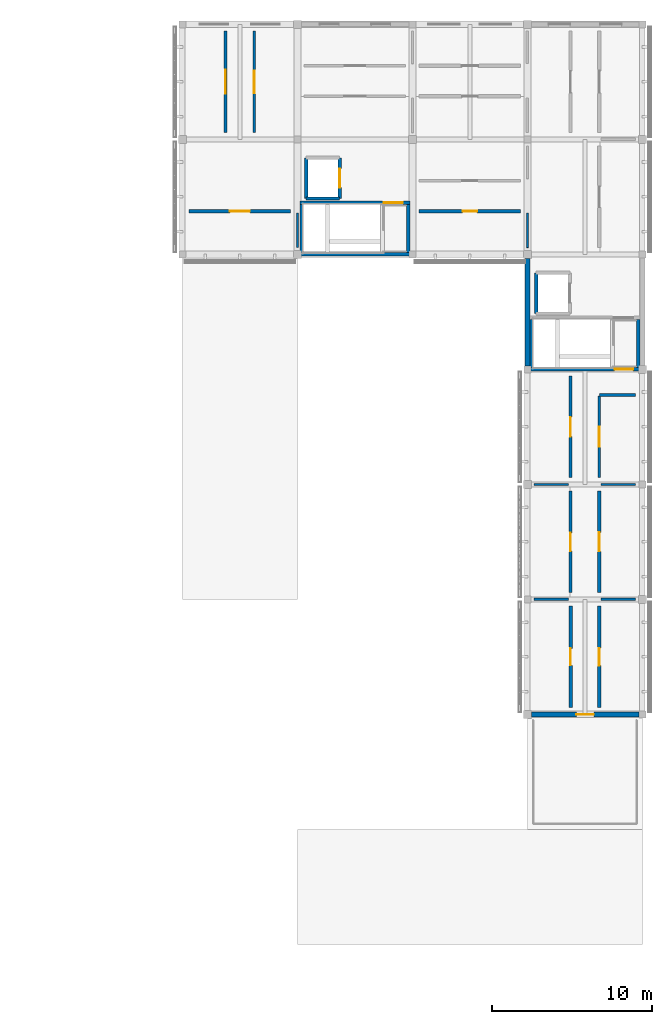
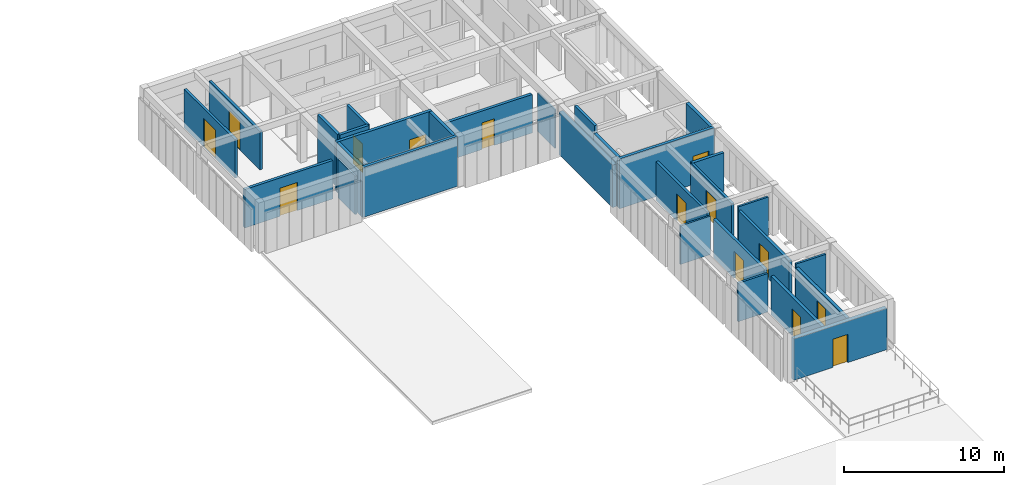
# One storey, part 26 of 33: 30 walls, 14 doors, 14 openings.
"""IFC4 building model written with IfcOpenShell, lengths in metres."""

from ifc_helpers import new_model, si_unit, direction, frame, frame_2d, origin, place, context, subcontext, project, spatial, rectangle, extrude, material, layer, layer_set, type_object, element, fill, save


model = new_model("IFC4")

# Units and contexts
model_context = context("Model", 3, precision=1e-05, world=origin(), true_north=direction((0.0, 1.0)))
body_context = subcontext(model_context, "Body", "Model", "MODEL_VIEW")
ifc_project = project(units=[si_unit("LENGTHUNIT", "METRE"), si_unit("AREAUNIT", "SQUARE_METRE"), si_unit("VOLUMEUNIT", "CUBIC_METRE"), si_unit("PLANEANGLEUNIT", "RADIAN"), si_unit("MASSUNIT", "GRAM", prefix="KILO")], contexts=[model_context])

# Site, building, storey
site_placement = place(None, origin())
site = spatial("IfcSite", under=ifc_project, at=site_placement, CompositionType="ELEMENT")
building_placement = place(site_placement, origin())
building = spatial("IfcBuilding", under=site, at=building_placement, Name="Aldebral Square Health Centre", CompositionType="ELEMENT")
storey_placement = place(building_placement, frame((0.0, 0.0, 17.550048828125)))
storey = spatial("IfcBuildingStorey", under=building, at=storey_placement, Name="L04", CompositionType="ELEMENT", Elevation=17.550048828125)

# Wall, opening, door
ifc_material_1 = material(Name="Precast concrete C40/50 insulated panel", Category="concrete")
ifc_layer_1 = layer(ifc_material_1, 0.300048828125, Name="Precast concrete C40/50 insulated panel", Category="concrete")
ifc_layer_set_1 = layer_set([ifc_layer_1], Name="Precast concrete C40/50 insulated panel")
wall_type_1 = type_object("IfcWallType", Name="EW-PRE-300", PredefinedType="STANDARD", material=ifc_layer_set_1)
wall_1_placement = place(storey_placement, frame((158.64990234375, 72.0, 0.0), z_axis=(0.0, 0.0, 1.0), x_axis=(1.0, 0.0, 0.0)))
wall_1 = element("IfcWall", 1, at=wall_1_placement, inside=storey, type_object=wall_type_1, Name="L04 V5 exterior wall L04-V5-22-10-S", PredefinedType="STANDARD", context=body_context, shape_type="SweptSolid", body=[
    extrude(rectangle(XDim=6.72509765625, YDim=0.300048828125, at=frame_2d((3.362548828125, 0.0))), origin(), (0.0, 0.0, 1.0), 3.14990234375),
])
opening_1_placement = place(wall_1_placement, frame((2.8125, 0.0, 0.0)))
opening_1 = element("IfcOpeningElement", 2, at=opening_1_placement, cuts=wall_1, Name="Opening D-TER403", PredefinedType="OPENING", context=body_context, shape_type="SweptSolid", body=[
    extrude(rectangle(XDim=1.10009765625, YDim=2.14990234375, at=frame_2d((0.550048828125, 1.074951171875))), frame((0.0, 0.16015625, 0.0), z_axis=(0.0, -1.0, 0.0), x_axis=(1.0, 0.0, 0.0)), (0.0, 0.0, 1.0), 0.320068359375),
])
ifc_material_2 = material(Name="Anodised aluminium and laminated safety glass", Category="aluminium")
door_type_1 = type_object("IfcDoorType", Name="DR-TER-110", OperationType="NOTDEFINED", PredefinedType="DOOR", material=ifc_material_2)
door_1_placement = place(opening_1_placement, origin())
door_1 = element("IfcDoor", 3, at=door_1_placement, inside=storey, type_object=door_type_1, Name="L04 exterior door D-TER403", OperationType="SINGLE_SWING_RIGHT", OverallHeight=2.14990234375, OverallWidth=1.10009765625, PredefinedType="DOOR", context=body_context, shape_type="SweptSolid", body=[
    extrude(rectangle(XDim=1.10009765625, YDim=2.14990234375, at=frame_2d((0.550048828125, 1.074951171875))), frame((0.0, 0.02490234375, 0.0), z_axis=(0.0, -1.0, 0.0), x_axis=(1.0, 0.0, 0.0)), (0.0, 0.0, 1.0), 0.050048828125),
])
fill(opening_1, door_1)

# Wall
wall_2_placement = place(storey_placement, frame((158.39990234375, 100.550048828125, 0.0), z_axis=(0.0, 0.0, 1.0), x_axis=(0.0, -1.0, 0.0)))
element("IfcWall", 4, at=wall_2_placement, inside=storey, type_object=wall_type_1, Name="L04 V5 exterior wall L04-V5-22-13-W", PredefinedType="STANDARD", context=body_context, shape_type="SweptSolid", body=[
    extrude(rectangle(XDim=6.72509765625, YDim=0.300048828125, at=frame_2d((3.362548828125, 0.0))), origin(), (0.0, 0.0, 1.0), 3.25),
])

# Wall, opening, door
ifc_material_3 = material(Name="Concrete C35/45 compartment wall", Category="concrete")
ifc_layer_2 = layer(ifc_material_3, 0.199951171875, Name="Concrete C35/45 compartment wall", Category="concrete")
ifc_layer_set_2 = layer_set([ifc_layer_2], Name="Concrete C35/45 compartment wall")
wall_type_2 = type_object("IfcWallType", Name="IW-CMP-200", PredefinedType="SOLIDWALL", material=ifc_layer_set_2)
wall_3_placement = place(storey_placement, frame((137.219970703125, 103.5, 0.0), z_axis=(0.0, 0.0, 1.0), x_axis=(1.0, 0.0, 0.0)))
wall_3 = element("IfcWall", 5, at=wall_3_placement, inside=storey, type_object=wall_type_2, Name="L04 Mental Health Counseling Room 20.15S corridor wall", PredefinedType="SOLIDWALL", context=body_context, shape_type="SweptSolid", body=[
    extrude(rectangle(XDim=6.360107421875, YDim=0.199951171875, at=frame_2d((3.18017578125, 0.0))), origin(), (0.0, 0.0, 1.0), 2.93994140625),
])
opening_2_placement = place(wall_3_placement, frame((2.554931640625, 0.0, 0.0)))
opening_2 = element("IfcOpeningElement", 6, at=opening_2_placement, cuts=wall_3, Name="Opening D-0631", PredefinedType="OPENING", context=body_context, shape_type="SweptSolid", body=[
    extrude(rectangle(XDim=1.25, YDim=2.14990234375, at=frame_2d((0.625, 1.074951171875))), frame((0.0, 0.10986328125, 0.0), z_axis=(0.0, -1.0, 0.0), x_axis=(1.0, 0.0, 0.0)), (0.0, 0.0, 1.0), 0.219970703125),
])
ifc_material_4 = material(Name="Stainless steel surgical lift landing door", Category="steel")
door_type_2 = type_object("IfcDoorType", Name="ID-LD-125", OperationType="SLIDING_TO_LEFT", PredefinedType="DOOR", material=ifc_material_4)
door_2_placement = place(opening_2_placement, origin())
door_2 = element("IfcDoor", 7, at=door_2_placement, inside=storey, type_object=door_type_2, Name="L04 Mental Health Counseling Room 20.15S door", OperationType="SINGLE_SWING_RIGHT", OverallHeight=2.14990234375, OverallWidth=1.25, PredefinedType="DOOR", context=body_context, shape_type="SweptSolid", body=[
    extrude(rectangle(XDim=1.25, YDim=2.14990234375, at=frame_2d((0.625, 1.074951171875))), frame((0.0, 0.02490234375, 0.0), z_axis=(0.0, -1.0, 0.0), x_axis=(1.0, 0.0, 0.0)), (0.0, 0.0, 1.0), 0.050048828125),
])
fill(opening_2, door_2)

wall_4_placement = place(storey_placement, frame((162.89990234375, 79.6201171875, 0.0), z_axis=(0.0, 0.0, 1.0), x_axis=(0.0, 1.0, 0.0)))
wall_4 = element("IfcWall", 8, at=wall_4_placement, inside=storey, type_object=wall_type_2, Name="L04 Mental Health Counseling Room 23.12E corridor wall", PredefinedType="SOLIDWALL", context=body_context, shape_type="SweptSolid", body=[
    extrude(rectangle(XDim=6.35986328125, YDim=0.199951171875, at=frame_2d((3.179931640625, 0.0))), origin(), (0.0, 0.0, 1.0), 2.93994140625),
])
opening_3_placement = place(wall_4_placement, frame((2.590087890625, 0.0, 0.0)))
opening_3 = element("IfcOpeningElement", 9, at=opening_3_placement, cuts=wall_4, Name="Opening D-0643", PredefinedType="OPENING", context=body_context, shape_type="SweptSolid", body=[
    extrude(rectangle(XDim=1.179931640625, YDim=2.0400390625, at=frame_2d((0.58984375, 1.02001953125))), frame((0.0, 0.10986328125, 0.0), z_axis=(0.0, -1.0, 0.0), x_axis=(1.0, 0.0, 0.0)), (0.0, 0.0, 1.0), 0.219970703125),
])
ifc_material_5 = material(Name="Clinical suite fire door")
door_type_3 = type_object("IfcDoorType", Name="ID-EXD-07", OperationType="NOTDEFINED", PredefinedType="DOOR", material=ifc_material_5)
door_3_placement = place(opening_3_placement, origin())
door_3 = element("IfcDoor", 10, at=door_3_placement, inside=storey, type_object=door_type_3, Name="L04 Mental Health Counseling Room 23.12E door", OperationType="SINGLE_SWING_RIGHT", OverallHeight=2.0400390625, OverallWidth=1.179931640625, PredefinedType="DOOR", context=body_context, shape_type="SweptSolid", body=[
    extrude(rectangle(XDim=1.179931640625, YDim=2.0400390625, at=frame_2d((0.58984375, 1.02001953125))), frame((0.0, 0.02490234375, 0.0), z_axis=(0.0, -1.0, 0.0), x_axis=(1.0, 0.0, 0.0)), (0.0, 0.0, 1.0), 0.050048828125),
])
fill(opening_3, door_3)

ifc_layer_3 = layer(ifc_material_3, 0.219970703125, Name="Concrete C35/45 compartment wall", Category="concrete")
ifc_layer_set_3 = layer_set([ifc_layer_3], Name="Concrete C35/45 compartment wall")
wall_type_3 = type_object("IfcWallType", Name="IW-CMP-220", PredefinedType="SOLIDWALL", material=ifc_layer_set_3)
wall_5_placement = place(storey_placement, frame((161.10009765625, 72.419921875, 0.0), z_axis=(0.0, 0.0, 1.0), x_axis=(0.0, 1.0, 0.0)))
wall_5 = element("IfcWall", 11, at=wall_5_placement, inside=storey, type_object=wall_type_3, Name="L04 Psychiatric Consultation Suite 23.11W corridor wall", PredefinedType="SOLIDWALL", context=body_context, shape_type="SweptSolid", body=[
    extrude(rectangle(XDim=6.360107421875, YDim=0.219970703125, at=frame_2d((3.18017578125, 0.0))), origin(), (0.0, 0.0, 1.0), 2.93994140625),
])
opening_4_placement = place(wall_5_placement, frame((2.64990234375, 0.0, 0.0)))
opening_4 = element("IfcOpeningElement", 12, at=opening_4_placement, cuts=wall_5, Name="Opening D-0640", PredefinedType="OPENING", context=body_context, shape_type="SweptSolid", body=[
    extrude(rectangle(XDim=1.06005859375, YDim=2.0400390625, at=frame_2d((0.530029296875, 1.02001953125))), frame((0.0, 0.1201171875, 0.0), z_axis=(0.0, -1.0, 0.0), x_axis=(1.0, 0.0, 0.0)), (0.0, 0.0, 1.0), 0.239990234375),
])
door_type_4 = type_object("IfcDoorType", Name="ID-EXD-04", OperationType="NOTDEFINED", PredefinedType="DOOR", material=ifc_material_5)
door_4_placement = place(opening_4_placement, origin())
door_4 = element("IfcDoor", 13, at=door_4_placement, inside=storey, type_object=door_type_4, Name="L04 Psychiatric Consultation Suite 23.11W door", OperationType="SINGLE_SWING_LEFT", OverallHeight=2.0400390625, OverallWidth=1.06005859375, PredefinedType="DOOR", context=body_context, shape_type="SweptSolid", body=[
    extrude(rectangle(XDim=1.06005859375, YDim=2.0400390625, at=frame_2d((0.530029296875, 1.02001953125))), frame((0.0, 0.02490234375, 0.0), z_axis=(0.0, -1.0, 0.0), x_axis=(1.0, 0.0, 0.0)), (0.0, 0.0, 1.0), 0.050048828125),
])
fill(opening_4, door_4)

wall_6_placement = place(storey_placement, frame((162.89990234375, 72.419921875, 0.0), z_axis=(0.0, 0.0, 1.0), x_axis=(0.0, 1.0, 0.0)))
wall_6 = element("IfcWall", 14, at=wall_6_placement, inside=storey, type_object=wall_type_3, Name="L04 Quiet Mindfulness Lounge 23.11E corridor wall", PredefinedType="SOLIDWALL", context=body_context, shape_type="SweptSolid", body=[
    extrude(rectangle(XDim=6.360107421875, YDim=0.219970703125, at=frame_2d((3.18017578125, 0.0))), origin(), (0.0, 0.0, 1.0), 2.93994140625),
])
opening_5_placement = place(wall_6_placement, frame((2.6298828125, 0.0, 0.0)))
opening_5 = element("IfcOpeningElement", 15, at=opening_5_placement, cuts=wall_6, Name="Opening D-0641", PredefinedType="OPENING", context=body_context, shape_type="SweptSolid", body=[
    extrude(rectangle(XDim=1.10009765625, YDim=2.0400390625, at=frame_2d((0.550048828125, 1.02001953125))), frame((0.0, 0.1201171875, 0.0), z_axis=(0.0, -1.0, 0.0), x_axis=(1.0, 0.0, 0.0)), (0.0, 0.0, 1.0), 0.239990234375),
])
door_type_5 = type_object("IfcDoorType", Name="ID-EXD-05", OperationType="NOTDEFINED", PredefinedType="DOOR", material=ifc_material_5)
door_5_placement = place(opening_5_placement, origin())
door_5 = element("IfcDoor", 16, at=door_5_placement, inside=storey, type_object=door_type_5, Name="L04 Quiet Mindfulness Lounge 23.11E door", OperationType="SINGLE_SWING_RIGHT", OverallHeight=2.0400390625, OverallWidth=1.10009765625, PredefinedType="DOOR", context=body_context, shape_type="SweptSolid", body=[
    extrude(rectangle(XDim=1.10009765625, YDim=2.0400390625, at=frame_2d((0.550048828125, 1.02001953125))), frame((0.0, 0.02490234375, 0.0), z_axis=(0.0, -1.0, 0.0), x_axis=(1.0, 0.0, 0.0)), (0.0, 0.0, 1.0), 0.050048828125),
])
fill(opening_5, door_5)

ifc_material_6 = material(Name="Fire-rated acoustic gypsum partition")
ifc_layer_4 = layer(ifc_material_6, 0.179931640625, Name="Fire-rated acoustic gypsum partition")
ifc_layer_set_4 = layer_set([ifc_layer_4], Name="Fire-rated acoustic gypsum partition")
wall_type_4 = type_object("IfcWallType", Name="IW-COR-180", PredefinedType="PARTITIONING", material=ifc_layer_set_4)
wall_7_placement = place(storey_placement, frame((139.5, 108.419921875, 0.0), z_axis=(0.0, 0.0, 1.0), x_axis=(0.0, 1.0, 0.0)))
wall_7 = element("IfcWall", 17, at=wall_7_placement, inside=storey, type_object=wall_type_4, Name="L04 Group Psychotherapy Suite 20.16W corridor wall", PredefinedType="PARTITIONING", context=body_context, shape_type="SweptSolid", body=[
    extrude(rectangle(XDim=6.360107421875, YDim=0.179931640625, at=frame_2d((3.18017578125, 0.0))), origin(), (0.0, 0.0, 1.0), 2.93994140625),
])
opening_6_placement = place(wall_7_placement, frame((2.429931640625, 0.0, 0.0)))
opening_6 = element("IfcOpeningElement", 18, at=opening_6_placement, cuts=wall_7, Name="Opening D-0632", PredefinedType="OPENING", context=body_context, shape_type="SweptSolid", body=[
    extrude(rectangle(XDim=1.5, YDim=2.199951171875, at=frame_2d((0.75, 1.10009765625))), frame((0.0, 0.10009765625, 0.0), z_axis=(0.0, -1.0, 0.0), x_axis=(1.0, 0.0, 0.0)), (0.0, 0.0, 1.0), 0.199951171875),
])
ifc_material_7 = material(Name="Surgical suite double-leaf fire door")
door_type_6 = type_object("IfcDoorType", Name="ID-OR-150", OperationType="NOTDEFINED", PredefinedType="DOOR", material=ifc_material_7)
door_6_placement = place(opening_6_placement, origin())
door_6 = element("IfcDoor", 19, at=door_6_placement, inside=storey, type_object=door_type_6, Name="L04 Group Psychotherapy Suite 20.16W door", OperationType="SINGLE_SWING_LEFT", OverallHeight=2.199951171875, OverallWidth=1.5, PredefinedType="DOOR", context=body_context, shape_type="SweptSolid", body=[
    extrude(rectangle(XDim=1.5, YDim=2.199951171875, at=frame_2d((0.75, 1.10009765625))), frame((0.0, 0.02490234375, 0.0), z_axis=(0.0, -1.0, 0.0), x_axis=(1.0, 0.0, 0.0)), (0.0, 0.0, 1.0), 0.050048828125),
])
fill(opening_6, door_6)

wall_8_placement = place(storey_placement, frame((141.300048828125, 108.419921875, 0.0), z_axis=(0.0, 0.0, 1.0), x_axis=(0.0, 1.0, 0.0)))
wall_8 = element("IfcWall", 20, at=wall_8_placement, inside=storey, type_object=wall_type_4, Name="L04 Child Psychology Room 20.16E corridor wall", PredefinedType="PARTITIONING", context=body_context, shape_type="SweptSolid", body=[
    extrude(rectangle(XDim=6.360107421875, YDim=0.179931640625, at=frame_2d((3.18017578125, 0.0))), origin(), (0.0, 0.0, 1.0), 2.93994140625),
])
opening_7_placement = place(wall_8_placement, frame((2.47998046875, 0.0, 0.0)))
opening_7 = element("IfcOpeningElement", 21, at=opening_7_placement, cuts=wall_8, Name="Opening D-0633", PredefinedType="OPENING", context=body_context, shape_type="SweptSolid", body=[
    extrude(rectangle(XDim=1.39990234375, YDim=2.199951171875, at=frame_2d((0.699951171875, 1.10009765625))), frame((0.0, 0.10009765625, 0.0), z_axis=(0.0, -1.0, 0.0), x_axis=(1.0, 0.0, 0.0)), (0.0, 0.0, 1.0), 0.199951171875),
])
ifc_material_8 = material(Name="Surgical recovery fire door")
door_type_7 = type_object("IfcDoorType", Name="ID-OR-140", OperationType="NOTDEFINED", PredefinedType="DOOR", material=ifc_material_8)
door_7_placement = place(opening_7_placement, origin())
door_7 = element("IfcDoor", 22, at=door_7_placement, inside=storey, type_object=door_type_7, Name="L04 Child Psychology Room 20.16E door", OperationType="SINGLE_SWING_RIGHT", OverallHeight=2.199951171875, OverallWidth=1.39990234375, PredefinedType="DOOR", context=body_context, shape_type="SweptSolid", body=[
    extrude(rectangle(XDim=1.39990234375, YDim=2.199951171875, at=frame_2d((0.699951171875, 1.10009765625))), frame((0.0, 0.02490234375, 0.0), z_axis=(0.0, -1.0, 0.0), x_axis=(1.0, 0.0, 0.0)), (0.0, 0.0, 1.0), 0.050048828125),
])
fill(opening_7, door_7)

wall_9_placement = place(storey_placement, frame((161.10009765625, 86.820068359375, 0.0), z_axis=(0.0, 0.0, 1.0), x_axis=(0.0, 1.0, 0.0)))
wall_9 = element("IfcWall", 23, at=wall_9_placement, inside=storey, type_object=wall_type_4, Name="L04 Group Psychotherapy Suite 23.13W corridor wall", PredefinedType="PARTITIONING", context=body_context, shape_type="SweptSolid", body=[
    extrude(rectangle(XDim=6.35986328125, YDim=0.179931640625, at=frame_2d((3.179931640625, 0.0))), origin(), (0.0, 0.0, 1.0), 2.93994140625),
])
opening_8_placement = place(wall_9_placement, frame((2.570068359375, 0.0, 0.0)))
opening_8 = element("IfcOpeningElement", 24, at=opening_8_placement, cuts=wall_9, Name="Opening D-0644", PredefinedType="OPENING", context=body_context, shape_type="SweptSolid", body=[
    extrude(rectangle(XDim=1.219970703125, YDim=2.0400390625, at=frame_2d((0.60986328125, 1.02001953125))), frame((0.0, 0.10009765625, 0.0), z_axis=(0.0, -1.0, 0.0), x_axis=(1.0, 0.0, 0.0)), (0.0, 0.0, 1.0), 0.199951171875),
])
door_type_8 = type_object("IfcDoorType", Name="ID-EXD-08", OperationType="NOTDEFINED", PredefinedType="DOOR", material=ifc_material_5)
door_8_placement = place(opening_8_placement, origin())
door_8 = element("IfcDoor", 25, at=door_8_placement, inside=storey, type_object=door_type_8, Name="L04 Group Psychotherapy Suite 23.13W door", OperationType="SINGLE_SWING_LEFT", OverallHeight=2.0400390625, OverallWidth=1.219970703125, PredefinedType="DOOR", context=body_context, shape_type="SweptSolid", body=[
    extrude(rectangle(XDim=1.219970703125, YDim=2.0400390625, at=frame_2d((0.60986328125, 1.02001953125))), frame((0.0, 0.02490234375, 0.0), z_axis=(0.0, -1.0, 0.0), x_axis=(1.0, 0.0, 0.0)), (0.0, 0.0, 1.0), 0.050048828125),
])
fill(opening_8, door_8)

wall_10_placement = place(storey_placement, frame((162.89990234375, 86.820068359375, 0.0), z_axis=(0.0, 0.0, 1.0), x_axis=(0.0, 1.0, 0.0)))
wall_10 = element("IfcWall", 26, at=wall_10_placement, inside=storey, type_object=wall_type_4, Name="L04 Child Psychology Room 23.13E corridor wall", PredefinedType="PARTITIONING", context=body_context, shape_type="SweptSolid", body=[
    extrude(rectangle(XDim=5.1298828125, YDim=0.179931640625, at=frame_2d((2.56494140625, 0.0))), origin(), (0.0, 0.0, 1.0), 2.93994140625),
])
opening_9_placement = place(wall_10_placement, frame((1.93505859375, 0.0, 0.0)))
opening_9 = element("IfcOpeningElement", 27, at=opening_9_placement, cuts=wall_10, Name="Opening D-0645", PredefinedType="OPENING", context=body_context, shape_type="SweptSolid", body=[
    extrude(rectangle(XDim=1.260009765625, YDim=2.0400390625, at=frame_2d((0.6298828125, 1.02001953125))), frame((0.0, 0.10009765625, 0.0), z_axis=(0.0, -1.0, 0.0), x_axis=(1.0, 0.0, 0.0)), (0.0, 0.0, 1.0), 0.199951171875),
])
door_type_9 = type_object("IfcDoorType", Name="ID-EXD-09", OperationType="NOTDEFINED", PredefinedType="DOOR", material=ifc_material_5)
door_9_placement = place(opening_9_placement, origin())
door_9 = element("IfcDoor", 28, at=door_9_placement, inside=storey, type_object=door_type_9, Name="L04 Child Psychology Room 23.13E door", OperationType="SINGLE_SWING_RIGHT", OverallHeight=2.0400390625, OverallWidth=1.260009765625, PredefinedType="DOOR", context=body_context, shape_type="SweptSolid", body=[
    extrude(rectangle(XDim=1.260009765625, YDim=2.0400390625, at=frame_2d((0.6298828125, 1.02001953125))), frame((0.0, 0.02490234375, 0.0), z_axis=(0.0, -1.0, 0.0), x_axis=(1.0, 0.0, 0.0)), (0.0, 0.0, 1.0), 0.050048828125),
])
fill(opening_9, door_9)

ifc_material_9 = material(Name="Concrete C40/50", Category="concrete")
ifc_layer_5 = layer(ifc_material_9, 0.219970703125, Name="Concrete C40/50", Category="concrete")
ifc_layer_set_5 = layer_set([ifc_layer_5], Name="Concrete C40/50")
wall_type_5 = type_object("IfcWallType", Name="IW-CORE-280", PredefinedType="SHEAR", material=ifc_layer_set_5)
wall_11_placement = place(storey_placement, frame((158.56005859375, 93.610107421875, 0.0), z_axis=(0.0, 0.0, 1.0), x_axis=(1.0, 0.0, 0.0)))
wall_11 = element("IfcWall", 29, at=wall_11_placement, inside=storey, type_object=wall_type_5, Name="L04 WC-C3 shaft wall S", PredefinedType="SHEAR", context=body_context, shape_type="SweptSolid", body=[
    extrude(rectangle(XDim=6.8798828125, YDim=0.219970703125, at=frame_2d((3.43994140625, 0.0))), origin(), (0.0, 0.0, 1.0), 3.800048828125),
])
opening_10_placement = place(wall_11_placement, frame((5.300048828125, 0.0, 0.0)))
opening_10 = element("IfcOpeningElement", 30, at=opening_10_placement, cuts=wall_11, Name="Opening D-0043", PredefinedType="OPENING", context=body_context, shape_type="SweptSolid", body=[
    extrude(rectangle(XDim=1.14990234375, YDim=2.14990234375, at=frame_2d((0.574951171875, 1.074951171875))), frame((0.0, 0.1201171875, 0.0), z_axis=(0.0, -1.0, 0.0), x_axis=(1.0, 0.0, 0.0)), (0.0, 0.0, 1.0), 0.239990234375),
])
ifc_material_10 = material(Name="Fire-rated steel lobby stair door", Category="steel")
door_type_10 = type_object("IfcDoorType", Name="ID-ST-115", OperationType="NOTDEFINED", PredefinedType="DOOR", material=ifc_material_10)
door_10_placement = place(opening_10_placement, origin())
door_10 = element("IfcDoor", 31, at=door_10_placement, inside=storey, type_object=door_type_10, Name="L04 ST-03 south lobby fire door", OperationType="SINGLE_SWING_LEFT", OverallHeight=2.14990234375, OverallWidth=1.14990234375, PredefinedType="DOOR", context=body_context, shape_type="SweptSolid", body=[
    extrude(rectangle(XDim=1.14990234375, YDim=2.14990234375, at=frame_2d((0.574951171875, 1.074951171875))), frame((0.0, 0.02490234375, 0.0), z_axis=(0.0, -1.0, 0.0), x_axis=(1.0, 0.0, 0.0)), (0.0, 0.0, 1.0), 0.050048828125),
])
fill(opening_10, door_10)

# Walls
for number, where, z_axis, x_axis, name in (
    (32, (158.669921875, 93.719970703125, 0.0), (0.0, 0.0, 1.0), (0.0, 1.0, 0.0), "L04 WC-C3 shaft wall W"),
    (33, (165.330078125, 93.719970703125, 0.0), (0.0, 0.0, 1.0), (0.0, 1.0, 0.0), "L04 WC-C3 shaft wall E"),
):
    element("IfcWall", number, at=place(storey_placement, frame(where, z_axis=z_axis, x_axis=x_axis)), inside=storey, type_object=wall_type_5, Name=name, PredefinedType="SHEAR", context=body_context, shape_type="SweptSolid", body=[
        extrude(rectangle(XDim=3.0, YDim=0.219970703125, at=frame_2d((1.5, 0.0))), origin(), (0.0, 0.0, 1.0), 3.800048828125),
    ])
wall_12_placement = place(storey_placement, frame((144.159912109375, 100.81005859375, 0.0), z_axis=(0.0, 0.0, 1.0), x_axis=(1.0, 0.0, 0.0)))
element("IfcWall", 34, at=wall_12_placement, inside=storey, type_object=wall_type_5, Name="L04 WC-C4 shaft wall S", PredefinedType="SHEAR", context=body_context, shape_type="SweptSolid", body=[
    extrude(rectangle(XDim=6.880126953125, YDim=0.219970703125, at=frame_2d((3.43994140625, 0.0))), origin(), (0.0, 0.0, 1.0), 3.800048828125),
])

# Wall, opening, door
wall_13_placement = place(storey_placement, frame((144.159912109375, 104.030029296875, 0.0), z_axis=(0.0, 0.0, 1.0), x_axis=(1.0, 0.0, 0.0)))
wall_13 = element("IfcWall", 35, at=wall_13_placement, inside=storey, type_object=wall_type_5, Name="L04 WC-C4 shaft wall N", PredefinedType="SHEAR", context=body_context, shape_type="SweptSolid", body=[
    extrude(rectangle(XDim=6.880126953125, YDim=0.219970703125, at=frame_2d((3.43994140625, 0.0))), origin(), (0.0, 0.0, 1.0), 3.800048828125),
])
opening_11_placement = place(wall_13_placement, frame((5.25, 0.0, 0.0)))
opening_11 = element("IfcOpeningElement", 36, at=opening_11_placement, cuts=wall_13, Name="Opening D-0052", PredefinedType="OPENING", context=body_context, shape_type="SweptSolid", body=[
    extrude(rectangle(XDim=1.199951171875, YDim=2.14990234375, at=frame_2d((0.60009765625, 1.074951171875))), frame((0.0, 0.1201171875, 0.0), z_axis=(0.0, -1.0, 0.0), x_axis=(1.0, 0.0, 0.0)), (0.0, 0.0, 1.0), 0.239990234375),
])
ifc_material_11 = material(Name="Fire-rated steel stair door", Category="steel")
door_type_11 = type_object("IfcDoorType", Name="ID-ST-120", OperationType="NOTDEFINED", PredefinedType="DOOR", material=ifc_material_11)
door_11_placement = place(opening_11_placement, origin())
door_11 = element("IfcDoor", 37, at=door_11_placement, inside=storey, type_object=door_type_11, Name="L04 ST-04 fire door", OperationType="SINGLE_SWING_RIGHT", OverallHeight=2.14990234375, OverallWidth=1.199951171875, PredefinedType="DOOR", context=body_context, shape_type="SweptSolid", body=[
    extrude(rectangle(XDim=1.199951171875, YDim=2.14990234375, at=frame_2d((0.60009765625, 1.074951171875))), frame((0.0, 0.02490234375, 0.0), z_axis=(0.0, -1.0, 0.0), x_axis=(1.0, 0.0, 0.0)), (0.0, 0.0, 1.0), 0.050048828125),
])
fill(opening_11, door_11)

# Walls
for number, where, z_axis, x_axis, name in (
    (38, (144.27001953125, 100.919921875, 0.0), (0.0, 0.0, 1.0), (0.0, 1.0, 0.0), "L04 WC-C4 shaft wall W"),
    (39, (150.929931640625, 100.919921875, 0.0), (0.0, 0.0, 1.0), (0.0, 1.0, 0.0), "L04 WC-C4 shaft wall E"),
):
    element("IfcWall", number, at=place(storey_placement, frame(where, z_axis=z_axis, x_axis=x_axis)), inside=storey, type_object=wall_type_5, Name=name, PredefinedType="SHEAR", context=body_context, shape_type="SweptSolid", body=[
        extrude(rectangle(XDim=3.0, YDim=0.219970703125, at=frame_2d((1.5, 0.0))), origin(), (0.0, 0.0, 1.0), 3.800048828125),
    ])
ifc_layer_6 = layer(ifc_material_9, 0.199951171875, Name="Concrete C40/50", Category="concrete")
ifc_layer_set_6 = layer_set([ifc_layer_6], Name="Concrete C40/50")
wall_type_6 = type_object("IfcWallType", Name="IW-LFT-250", PredefinedType="SHEAR", material=ifc_layer_set_6)
wall_14_placement = place(storey_placement, frame((158.949951171875, 97.10009765625, 0.0), z_axis=(0.0, 0.0, 1.0), x_axis=(0.0, 1.0, 0.0)))
element("IfcWall", 40, at=wall_14_placement, inside=storey, type_object=wall_type_6, Name="L04 LF-03 shaft wall W", PredefinedType="SHEAR", context=body_context, shape_type="SweptSolid", body=[
    extrude(rectangle(XDim=2.5498046875, YDim=0.199951171875, at=frame_2d((1.27490234375, 0.0))), origin(), (0.0, 0.0, 1.0), 4.050048828125),
])
wall_15_placement = place(storey_placement, frame((144.550048828125, 104.300048828125, 0.0), z_axis=(0.0, 0.0, 1.0), x_axis=(1.0, 0.0, 0.0)))
element("IfcWall", 41, at=wall_15_placement, inside=storey, type_object=wall_type_6, Name="L04 LF-04 shaft wall S", PredefinedType="SHEAR", context=body_context, shape_type="SweptSolid", body=[
    extrude(rectangle(XDim=2.099853515625, YDim=0.199951171875, at=frame_2d((1.0498046875, 0.0))), origin(), (0.0, 0.0, 1.0), 4.050048828125),
])
wall_16_placement = place(storey_placement, frame((144.550048828125, 104.300048828125, 0.0), z_axis=(0.0, 0.0, 1.0), x_axis=(0.0, 1.0, 0.0)))
element("IfcWall", 42, at=wall_16_placement, inside=storey, type_object=wall_type_6, Name="L04 LF-04 shaft wall W", PredefinedType="SHEAR", context=body_context, shape_type="SweptSolid", body=[
    extrude(rectangle(XDim=2.550048828125, YDim=0.199951171875, at=frame_2d((1.27490234375, 0.0))), origin(), (0.0, 0.0, 1.0), 4.050048828125),
])

# Wall, opening, door
wall_17_placement = place(storey_placement, frame((146.64990234375, 104.300048828125, 0.0), z_axis=(0.0, 0.0, 1.0), x_axis=(0.0, 1.0, 0.0)))
wall_17 = element("IfcWall", 43, at=wall_17_placement, inside=storey, type_object=wall_type_6, Name="L04 LF-04 landing wall", PredefinedType="SHEAR", context=body_context, shape_type="SweptSolid", body=[
    extrude(rectangle(XDim=2.550048828125, YDim=0.199951171875, at=frame_2d((1.27490234375, 0.0))), origin(), (0.0, 0.0, 1.0), 4.050048828125),
])
opening_12_placement = place(wall_17_placement, frame((0.675048828125, 0.0, 0.0)))
opening_12 = element("IfcOpeningElement", 44, at=opening_12_placement, cuts=wall_17, Name="Opening D-0053", PredefinedType="OPENING", context=body_context, shape_type="SweptSolid", body=[
    extrude(rectangle(XDim=1.199951171875, YDim=2.14990234375, at=frame_2d((0.60009765625, 1.074951171875))), frame((0.0, 0.10986328125, 0.0), z_axis=(0.0, -1.0, 0.0), x_axis=(1.0, 0.0, 0.0)), (0.0, 0.0, 1.0), 0.219970703125),
])
ifc_material_12 = material(Name="Stainless steel passenger lift landing door", Category="steel")
door_type_12 = type_object("IfcDoorType", Name="ID-LD-120", OperationType="SLIDING_TO_LEFT", PredefinedType="DOOR", material=ifc_material_12)
door_12_placement = place(opening_12_placement, origin())
door_12 = element("IfcDoor", 45, at=door_12_placement, inside=storey, type_object=door_type_12, Name="L04 LF-04 sliding landing door", OperationType="SLIDING_TO_LEFT", OverallHeight=2.14990234375, OverallWidth=1.199951171875, PredefinedType="DOOR", context=body_context, shape_type="SweptSolid", body=[
    extrude(rectangle(XDim=1.199951171875, YDim=2.14990234375, at=frame_2d((0.60009765625, 1.074951171875))), frame((0.0, 0.02490234375, 0.0), z_axis=(0.0, -1.0, 0.0), x_axis=(1.0, 0.0, 0.0)), (0.0, 0.0, 1.0), 0.050048828125),
])
fill(opening_12, door_12)

ifc_material_13 = material(Name="Moisture-resistant sanitary chase wall")
ifc_layer_7 = layer(ifc_material_13, 0.2099609375, Name="Moisture-resistant sanitary chase wall")
ifc_layer_set_7 = layer_set([ifc_layer_7], Name="Moisture-resistant sanitary chase wall")
wall_type_7 = type_object("IfcWallType", Name="IW-PLB-210", PredefinedType="PLUMBINGWALL", material=ifc_layer_set_7)
wall_18_placement = place(storey_placement, frame((151.6201171875, 103.5, 0.0), z_axis=(0.0, 0.0, 1.0), x_axis=(1.0, 0.0, 0.0)))
wall_18 = element("IfcWall", 46, at=wall_18_placement, inside=storey, type_object=wall_type_7, Name="L04 Accessible WC 22.15S corridor wall", PredefinedType="PLUMBINGWALL", context=body_context, shape_type="SweptSolid", body=[
    extrude(rectangle(XDim=6.35986328125, YDim=0.2099609375, at=frame_2d((3.179931640625, 0.0))), origin(), (0.0, 0.0, 1.0), 2.93994140625),
])
opening_13_placement = place(wall_18_placement, frame((2.72998046875, 0.0, 0.0)))
opening_13 = element("IfcOpeningElement", 47, at=opening_13_placement, cuts=wall_18, Name="Opening D-0636", PredefinedType="OPENING", context=body_context, shape_type="SweptSolid", body=[
    extrude(rectangle(XDim=0.89990234375, YDim=2.0400390625, at=frame_2d((0.449951171875, 1.02001953125))), frame((0.0, 0.114990234375, 0.0), z_axis=(0.0, -1.0, 0.0), x_axis=(1.0, 0.0, 0.0)), (0.0, 0.0, 1.0), 0.22998046875),
])
door_type_13 = type_object("IfcDoorType", Name="ID-EXD-00", OperationType="NOTDEFINED", PredefinedType="DOOR", material=ifc_material_5)
door_13_placement = place(opening_13_placement, origin())
door_13 = element("IfcDoor", 48, at=door_13_placement, inside=storey, type_object=door_type_13, Name="L04 Accessible WC 22.15S door", OperationType="SINGLE_SWING_LEFT", OverallHeight=2.0400390625, OverallWidth=0.89990234375, PredefinedType="DOOR", context=body_context, shape_type="SweptSolid", body=[
    extrude(rectangle(XDim=0.89990234375, YDim=2.0400390625, at=frame_2d((0.449951171875, 1.02001953125))), frame((0.0, 0.02490234375, 0.0), z_axis=(0.0, -1.0, 0.0), x_axis=(1.0, 0.0, 0.0)), (0.0, 0.0, 1.0), 0.050048828125),
])
fill(opening_13, door_13)

wall_19_placement = place(storey_placement, frame((161.10009765625, 79.6201171875, 0.0), z_axis=(0.0, 0.0, 1.0), x_axis=(0.0, 1.0, 0.0)))
wall_19 = element("IfcWall", 49, at=wall_19_placement, inside=storey, type_object=wall_type_7, Name="L04 Accessible WC 23.12W corridor wall", PredefinedType="PLUMBINGWALL", context=body_context, shape_type="SweptSolid", body=[
    extrude(rectangle(XDim=6.35986328125, YDim=0.2099609375, at=frame_2d((3.179931640625, 0.0))), origin(), (0.0, 0.0, 1.0), 2.93994140625),
])
opening_14_placement = place(wall_19_placement, frame((2.610107421875, 0.0, 0.0)))
opening_14 = element("IfcOpeningElement", 50, at=opening_14_placement, cuts=wall_19, Name="Opening D-0642", PredefinedType="OPENING", context=body_context, shape_type="SweptSolid", body=[
    extrude(rectangle(XDim=1.139892578125, YDim=2.0400390625, at=frame_2d((0.56982421875, 1.02001953125))), frame((0.0, 0.114990234375, 0.0), z_axis=(0.0, -1.0, 0.0), x_axis=(1.0, 0.0, 0.0)), (0.0, 0.0, 1.0), 0.22998046875),
])
door_type_14 = type_object("IfcDoorType", Name="ID-EXD-06", OperationType="NOTDEFINED", PredefinedType="DOOR", material=ifc_material_5)
door_14_placement = place(opening_14_placement, origin())
door_14 = element("IfcDoor", 51, at=door_14_placement, inside=storey, type_object=door_type_14, Name="L04 Accessible WC 23.12W door", OperationType="SINGLE_SWING_LEFT", OverallHeight=2.0400390625, OverallWidth=1.139892578125, PredefinedType="DOOR", context=body_context, shape_type="SweptSolid", body=[
    extrude(rectangle(XDim=1.139892578125, YDim=2.0400390625, at=frame_2d((0.56982421875, 1.02001953125))), frame((0.0, 0.02490234375, 0.0), z_axis=(0.0, -1.0, 0.0), x_axis=(1.0, 0.0, 0.0)), (0.0, 0.0, 1.0), 0.050048828125),
])
fill(opening_14, door_14)

# Walls
wall_20_placement = place(storey_placement, frame((162.89990234375, 92.0, 0.0), z_axis=(0.0, 0.0, 1.0), x_axis=(1.0, 0.0, 0.0)))
element("IfcWall", 52, at=wall_20_placement, inside=storey, type_object=wall_type_7, Name="L04 Child Psychology Room 23.13E lobby return wall", PredefinedType="PLUMBINGWALL", context=body_context, shape_type="SweptSolid", body=[
    extrude(rectangle(XDim=2.280029296875, YDim=0.2099609375, at=frame_2d((1.14013671875, 0.0))), origin(), (0.0, 0.0, 1.0), 2.93994140625),
])
ifc_material_14 = material(Name="Lightweight clinical partition")
ifc_layer_8 = layer(ifc_material_14, 0.10498046875, Name="Lightweight clinical partition")
ifc_layer_set_8 = layer_set([ifc_layer_8], Name="Lightweight clinical partition")
wall_type_8 = type_object("IfcWallType", Name="IW-PRT-105", PredefinedType="PARTITIONING", material=ifc_layer_set_8)
wall_21_placement = place(storey_placement, frame((158.39990234375, 101.219970703125, 0.0), z_axis=(0.0, 0.0, 1.0), x_axis=(0.0, 1.0, 0.0)))
element("IfcWall", 53, at=wall_21_placement, inside=storey, type_object=wall_type_8, Name="L04 Accessible WC 22.15S demising partition", PredefinedType="PARTITIONING", context=body_context, shape_type="SweptSolid", body=[
    extrude(rectangle(XDim=2.159912109375, YDim=0.10498046875, at=frame_2d((1.080078125, 0.0))), origin(), (0.0, 0.0, 1.0), 2.93994140625),
])
ifc_material_15 = material(Name="Acoustic clinical gypsum partition")
ifc_layer_9 = layer(ifc_material_15, 0.135009765625, Name="Acoustic clinical gypsum partition")
ifc_layer_set_9 = layer_set([ifc_layer_9], Name="Acoustic clinical gypsum partition")
wall_type_9 = type_object("IfcWallType", Name="IW-PRT-135", PredefinedType="PARTITIONING", material=ifc_layer_set_9)
for number, where, z_axis, x_axis, name in (
    (54, (144.0, 101.219970703125, 0.0), (0.0, 0.0, 1.0), (0.0, 1.0, 0.0), "L04 Mental Health Counseling Room 20.15S demising partition"),
    (55, (158.820068359375, 86.39990234375, 0.0), (0.0, 0.0, 1.0), (1.0, 0.0, 0.0), "L04 Accessible WC 23.12W demising partition"),
    (56, (163.02001953125, 86.39990234375, 0.0), (0.0, 0.0, 1.0), (1.0, 0.0, 0.0), "L04 Mental Health Counseling Room 23.12E demising partition"),
):
    element("IfcWall", number, at=place(storey_placement, frame(where, z_axis=z_axis, x_axis=x_axis)), inside=storey, type_object=wall_type_9, Name=name, PredefinedType="PARTITIONING", context=body_context, shape_type="SweptSolid", body=[
        extrude(rectangle(XDim=2.159912109375, YDim=0.135009765625, at=frame_2d((1.080078125, 0.0))), origin(), (0.0, 0.0, 1.0), 2.93994140625),
    ])
ifc_layer_10 = layer(ifc_material_15, 0.14990234375, Name="Acoustic clinical gypsum partition")
ifc_layer_set_10 = layer_set([ifc_layer_10], Name="Acoustic clinical gypsum partition")
wall_type_10 = type_object("IfcWallType", Name="IW-PRT-150", PredefinedType="PARTITIONING", material=ifc_layer_set_10)
for number, where, z_axis, x_axis, name in (
    (57, (158.820068359375, 79.199951171875, 0.0), (0.0, 0.0, 1.0), (1.0, 0.0, 0.0), "L04 Psychiatric Consultation Suite 23.11W demising partition"),
    (58, (163.02001953125, 79.199951171875, 0.0), (0.0, 0.0, 1.0), (1.0, 0.0, 0.0), "L04 Quiet Mindfulness Lounge 23.11E demising partition"),
):
    element("IfcWall", number, at=place(storey_placement, frame(where, z_axis=z_axis, x_axis=x_axis)), inside=storey, type_object=wall_type_10, Name=name, PredefinedType="PARTITIONING", context=body_context, shape_type="SweptSolid", body=[
        extrude(rectangle(XDim=2.159912109375, YDim=0.14990234375, at=frame_2d((1.080078125, 0.0))), origin(), (0.0, 0.0, 1.0), 2.93994140625),
    ])

save(model, "model.ifc")
